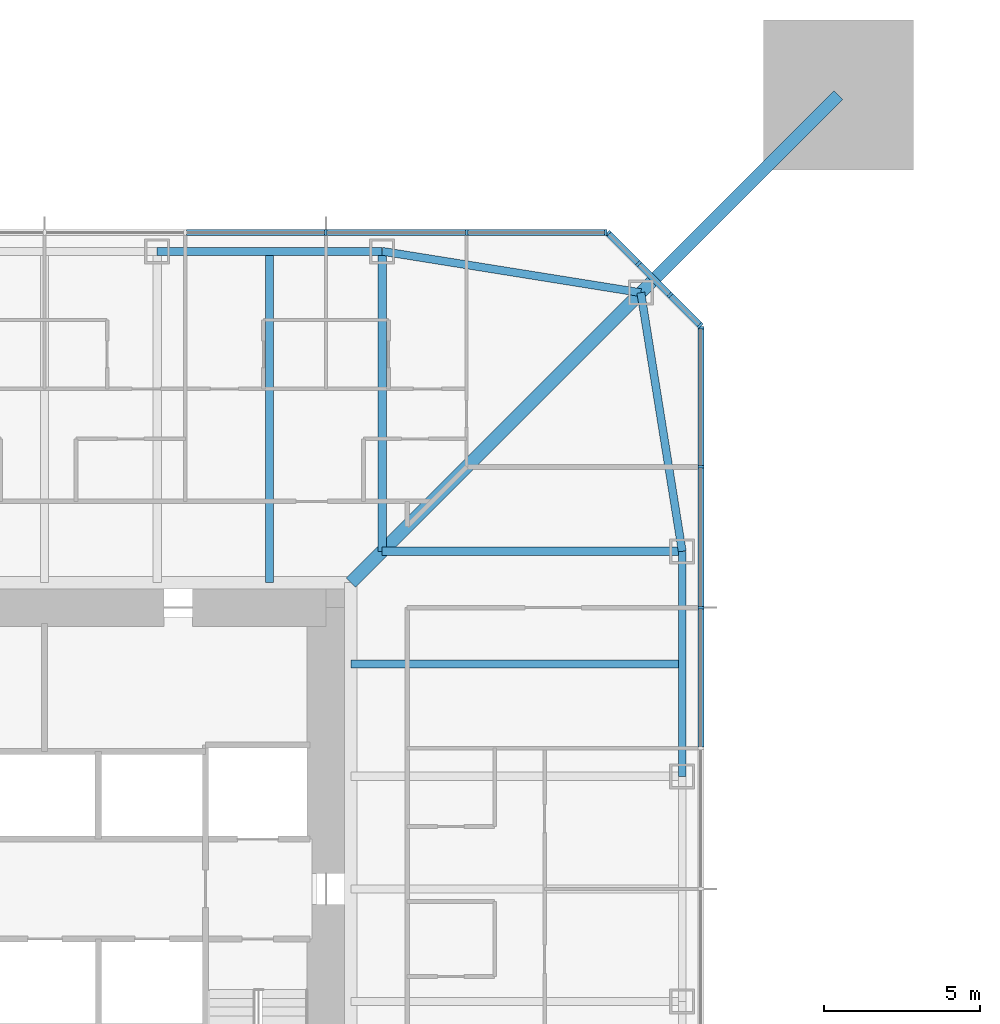
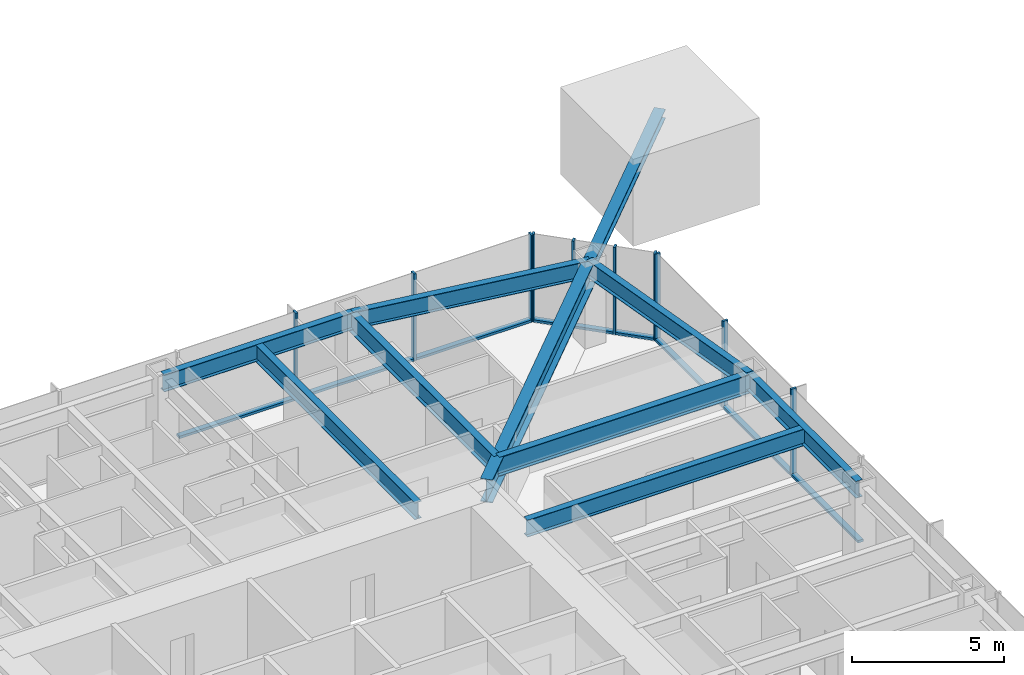
# One storey, part 5 of 23: 20 members, 9 beams, 3 elements without a shape of their own.
"""IFC4 building model written with IfcOpenShell, lengths in metres."""

from ifc_helpers import new_model, si_unit, direction, frame, origin, origin_2d, place, context, subcontext, project, spatial, rectangle, i_section, extrude, material, material_profile, profile_set, type_object, element, aggregate, save


model = new_model("IFC4")

# Units and contexts
model_context = context("Model", 3, precision=1e-05, world=origin(), true_north=direction((0.0, 1.0)))
body_context = subcontext(model_context, "Body", "Model", "MODEL_VIEW")
ifc_project = project(units=[si_unit("LENGTHUNIT", "METRE"), si_unit("AREAUNIT", "SQUARE_METRE"), si_unit("VOLUMEUNIT", "CUBIC_METRE"), si_unit("PLANEANGLEUNIT", "RADIAN"), si_unit("MASSUNIT", "GRAM", prefix="KILO")], contexts=[model_context])

# Site, building, storey
site_placement = place(None, origin())
site = spatial("IfcSite", under=ifc_project, at=site_placement, CompositionType="ELEMENT")
building_placement = place(site_placement, origin())
building = spatial("IfcBuilding", under=site, at=building_placement, Name="Iwan Alto Co-Living Towers", CompositionType="ELEMENT")
storey_placement = place(building_placement, frame((0.0, 0.0, 122.5)))
storey = spatial("IfcBuildingStorey", under=building, at=storey_placement, Name="L33", CompositionType="ELEMENT", Elevation=122.5)

# Curtain wall, members
ifc_material_1 = material(Name="Bronze aluminium unitised frame", Category="aluminium")
curtain_wall_type_1 = type_object("IfcCurtainWallType", Name="CURTAIN WALL CW-A", PredefinedType="NOTDEFINED", material=ifc_material_1)
curtain_wall_1_placement = place(storey_placement, origin())
curtain_wall_1 = element("IfcCurtainWall", 1, at=curtain_wall_1_placement, inside=storey, type_object=curtain_wall_type_1, Name="T1 curtain wall E L33", PredefinedType="NOTDEFINED")
ifc_material_2 = material(Name="Aluminium 6063-T6 bronze anodised", Category="aluminium")
ifc_material_profile_1 = material_profile(ifc_material_2, rectangle(XDim=0.199951171875, YDim=0.080078125, at=origin_2d()), Name="AL 80X200")
ifc_profile_set_1 = profile_set([ifc_material_profile_1], Name="Aluminium 6063-T6 bronze anodised")
member_type_1 = type_object("IfcMemberType", Name="CW-A MULLION 80X200", PredefinedType="MULLION", material=ifc_profile_set_1)
member_1_placement = place(storey_placement, frame((21.0, 9.0, 0.0), z_axis=(0.0, 0.0, 1.0), x_axis=(-1.0, 0.0, 0.0)))
member_1 = element("IfcMember", 2, at=member_1_placement, type_object=member_type_1, Name="CW-A mullion 7", PredefinedType="MULLION", context=body_context, shape_type="SweptSolid", body=[
    extrude(rectangle(XDim=0.199951171875, YDim=0.080078125, at=origin_2d()), origin(), (0.0, 0.0, 1.0), 3.5),
])
member_2_placement = place(storey_placement, frame((21.0, 13.5, 0.0), z_axis=(0.0, 0.0, 1.0), x_axis=(-1.0, 0.0, 0.0)))
member_2 = element("IfcMember", 3, at=member_2_placement, type_object=member_type_1, Name="CW-A mullion 8", PredefinedType="MULLION", context=body_context, shape_type="SweptSolid", body=[
    extrude(rectangle(XDim=0.199951171875, YDim=0.080078125, at=origin_2d()), origin(), (0.0, 0.0, 1.0), 3.5),
])
member_3_placement = place(storey_placement, frame((21.0, 17.9599609375, 0.0), z_axis=(0.0, 0.0, 1.0), x_axis=(-1.0, 0.0, 0.0)))
member_3 = element("IfcMember", 4, at=member_3_placement, type_object=member_type_1, Name="CW-A mullion 9", PredefinedType="MULLION", context=body_context, shape_type="SweptSolid", body=[
    extrude(rectangle(XDim=0.199951171875, YDim=0.080078125, at=origin_2d()), origin(), (0.0, 0.0, 1.0), 3.5),
])

curtain_wall_2_placement = place(storey_placement, origin())
curtain_wall_2 = element("IfcCurtainWall", 5, at=curtain_wall_2_placement, inside=storey, type_object=curtain_wall_type_1, Name="T1 curtain wall N L33", PredefinedType="NOTDEFINED")
member_4_placement = place(storey_placement, frame((17.9599609375, 21.0, 0.0), z_axis=(0.0, 0.0, 1.0), x_axis=(0.0, -1.0, 0.0)))
member_4 = element("IfcMember", 6, at=member_4_placement, type_object=member_type_1, Name="CW-A mullion 1", PredefinedType="MULLION", context=body_context, shape_type="SweptSolid", body=[
    extrude(rectangle(XDim=0.199951171875, YDim=0.080078125, at=origin_2d()), origin(), (0.0, 0.0, 1.0), 3.5),
])
member_5_placement = place(storey_placement, frame((13.5, 21.0, 0.0), z_axis=(0.0, 0.0, 1.0), x_axis=(0.0, -1.0, 0.0)))
member_5 = element("IfcMember", 7, at=member_5_placement, type_object=member_type_1, Name="CW-A mullion 2", PredefinedType="MULLION", context=body_context, shape_type="SweptSolid", body=[
    extrude(rectangle(XDim=0.199951171875, YDim=0.080078125, at=origin_2d()), origin(), (0.0, 0.0, 1.0), 3.5),
])
member_6_placement = place(storey_placement, frame((9.0, 21.0, 0.0), z_axis=(0.0, 0.0, 1.0), x_axis=(0.0, -1.0, 0.0)))
member_6 = element("IfcMember", 8, at=member_6_placement, type_object=member_type_1, Name="CW-A mullion 3", PredefinedType="MULLION", context=body_context, shape_type="SweptSolid", body=[
    extrude(rectangle(XDim=0.199951171875, YDim=0.080078125, at=origin_2d()), origin(), (0.0, 0.0, 1.0), 3.5),
])

# Member
ifc_material_3 = material(Name="Aluminium 6063-T6 bronze anodised", Category="aluminium")
ifc_material_profile_2 = material_profile(ifc_material_3, rectangle(XDim=0.199951171875, YDim=0.10009765625, at=origin_2d()), Name="AL 200X100")
ifc_profile_set_2 = profile_set([ifc_material_profile_2], Name="Aluminium 6063-T6 bronze anodised")
member_type_2 = type_object("IfcMemberType", Name="CW-A TRANSOM 200X100", PredefinedType="USERDEFINED", material=ifc_profile_set_2)
member_7_placement = place(storey_placement, frame((21.0, 4.5400390625, 0.050048828125), z_axis=(0.0, 1.0, 0.0), x_axis=(-1.0, 0.0, 0.0)))
member_7 = element("IfcMember", 9, at=member_7_placement, type_object=member_type_2, Name="CW-A transom 6.1", ObjectType="TRANSOM", PredefinedType="USERDEFINED", context=body_context, shape_type="SweptSolid", body=[
    extrude(rectangle(XDim=0.199951171875, YDim=0.10009765625, at=origin_2d()), origin(), (0.0, 0.0, 1.0), 4.419921875),
])

member_8_placement = place(storey_placement, frame((21.0, 9.0400390625, 0.050048828125), z_axis=(0.0, 1.0, 0.0), x_axis=(-1.0, 0.0, 0.0)))
member_8 = element("IfcMember", 10, at=member_8_placement, type_object=member_type_2, Name="CW-A transom 7.1", ObjectType="TRANSOM", PredefinedType="USERDEFINED", context=body_context, shape_type="SweptSolid", body=[
    extrude(rectangle(XDim=0.199951171875, YDim=0.10009765625, at=origin_2d()), origin(), (0.0, 0.0, 1.0), 4.419921875),
])

member_9_placement = place(storey_placement, frame((21.0, 13.5400390625, 0.050048828125), z_axis=(0.0, 1.0, 0.0), x_axis=(-1.0, 0.0, 0.0)))
member_9 = element("IfcMember", 11, at=member_9_placement, type_object=member_type_2, Name="CW-A transom 8.1", ObjectType="TRANSOM", PredefinedType="USERDEFINED", context=body_context, shape_type="SweptSolid", body=[
    extrude(rectangle(XDim=0.199951171875, YDim=0.10009765625, at=origin_2d()), origin(), (0.0, 0.0, 1.0), 4.3798828125),
])

aggregate(curtain_wall_1, [member_1, member_2, member_3, member_7, member_8, member_9])

member_10_placement = place(storey_placement, frame((17.919921875, 21.0, 0.050048828125), z_axis=(-1.0, 0.0, 0.0), x_axis=(0.0, -1.0, 0.0)))
member_10 = element("IfcMember", 12, at=member_10_placement, type_object=member_type_2, Name="CW-A transom 1.1", ObjectType="TRANSOM", PredefinedType="USERDEFINED", context=body_context, shape_type="SweptSolid", body=[
    extrude(rectangle(XDim=0.199951171875, YDim=0.10009765625, at=origin_2d()), origin(), (0.0, 0.0, 1.0), 4.3798828125),
])

member_11_placement = place(storey_placement, frame((13.4599609375, 21.0, 0.050048828125), z_axis=(-1.0, 0.0, 0.0), x_axis=(0.0, -1.0, 0.0)))
member_11 = element("IfcMember", 13, at=member_11_placement, type_object=member_type_2, Name="CW-A transom 2.1", ObjectType="TRANSOM", PredefinedType="USERDEFINED", context=body_context, shape_type="SweptSolid", body=[
    extrude(rectangle(XDim=0.199951171875, YDim=0.10009765625, at=origin_2d()), origin(), (0.0, 0.0, 1.0), 4.419921875),
])

member_12_placement = place(storey_placement, frame((8.9599609375, 21.0, 0.050048828125), z_axis=(-1.0, 0.0, 0.0), x_axis=(0.0, -1.0, 0.0)))
member_12 = element("IfcMember", 14, at=member_12_placement, type_object=member_type_2, Name="CW-A transom 3.1", ObjectType="TRANSOM", PredefinedType="USERDEFINED", context=body_context, shape_type="SweptSolid", body=[
    extrude(rectangle(XDim=0.199951171875, YDim=0.10009765625, at=origin_2d()), origin(), (0.0, 0.0, 1.0), 4.419921875),
])

aggregate(curtain_wall_2, [member_4, member_5, member_6, member_10, member_11, member_12])

# Curtain wall, members
ifc_material_4 = material(Name="Bronze aluminium unitised frame", Category="aluminium")
curtain_wall_type_2 = type_object("IfcCurtainWallType", Name="CURTAIN WALL CW-B", PredefinedType="NOTDEFINED", material=ifc_material_4)
curtain_wall_3_placement = place(storey_placement, origin())
curtain_wall_3 = element("IfcCurtainWall", 15, at=curtain_wall_3_placement, inside=storey, type_object=curtain_wall_type_2, Name="T1 chamfer curtain wall NE L33", PredefinedType="NOTDEFINED")
ifc_material_5 = material(Name="Aluminium 6063-T6 bronze anodised", Category="aluminium")
ifc_material_profile_3 = material_profile(ifc_material_5, rectangle(XDim=0.199951171875, YDim=0.080078125, at=origin_2d()), Name="AL 80X200")
ifc_profile_set_3 = profile_set([ifc_material_profile_3], Name="Aluminium 6063-T6 bronze anodised")
member_type_3 = type_object("IfcMemberType", Name="CW-B MULLION 80X200", PredefinedType="MULLION", material=ifc_profile_set_3)
member_13_placement = place(storey_placement, frame((20.9716796875, 18.0283203125, 0.0), z_axis=(0.0, 0.0, 1.0), x_axis=(-0.707106781187, -0.707106781187, 0.0)))
member_13 = element("IfcMember", 16, at=member_13_placement, type_object=member_type_3, Name="CW-B mullion 1", PredefinedType="MULLION", context=body_context, shape_type="SweptSolid", body=[
    extrude(rectangle(XDim=0.199951171875, YDim=0.080078125, at=origin_2d()), origin(), (0.0, 0.0, 1.0), 3.5),
])
member_14_placement = place(storey_placement, frame((20.0, 19.0, 0.0), z_axis=(0.0, 0.0, 1.0), x_axis=(-0.707106781187, -0.707106781187, 0.0)))
member_14 = element("IfcMember", 17, at=member_14_placement, type_object=member_type_3, Name="CW-B mullion 2", PredefinedType="MULLION", context=body_context, shape_type="SweptSolid", body=[
    extrude(rectangle(XDim=0.199951171875, YDim=0.080078125, at=origin_2d()), origin(), (0.0, 0.0, 1.0), 3.5),
])
member_15_placement = place(storey_placement, frame((19.0, 20.0, 0.0), z_axis=(0.0, 0.0, 1.0), x_axis=(-0.707106781187, -0.707106781187, 0.0)))
member_15 = element("IfcMember", 18, at=member_15_placement, type_object=member_type_3, Name="CW-B mullion 3", PredefinedType="MULLION", context=body_context, shape_type="SweptSolid", body=[
    extrude(rectangle(XDim=0.199951171875, YDim=0.080078125, at=origin_2d()), origin(), (0.0, 0.0, 1.0), 3.5),
])
member_16_placement = place(storey_placement, frame((18.0283203125, 20.9716796875, 0.0), z_axis=(0.0, 0.0, 1.0), x_axis=(-0.707106781187, -0.707106781187, 0.0)))
member_16 = element("IfcMember", 19, at=member_16_placement, type_object=member_type_3, Name="CW-B mullion 4", PredefinedType="MULLION", context=body_context, shape_type="SweptSolid", body=[
    extrude(rectangle(XDim=0.199951171875, YDim=0.080078125, at=origin_2d()), origin(), (0.0, 0.0, 1.0), 3.5),
])
ifc_material_6 = material(Name="Aluminium 6063-T6 bronze anodised", Category="aluminium")
ifc_material_profile_4 = material_profile(ifc_material_6, rectangle(XDim=0.199951171875, YDim=0.10009765625, at=origin_2d()), Name="AL 200X100")
ifc_profile_set_4 = profile_set([ifc_material_profile_4], Name="Aluminium 6063-T6 bronze anodised")
member_type_4 = type_object("IfcMemberType", Name="CW-B TRANSOM 200X100", PredefinedType="USERDEFINED", material=ifc_profile_set_4)
member_17_placement = place(storey_placement, frame((20.943359375, 18.056640625, 0.050048828125), z_axis=(-0.707106781187, 0.707106781187, 0.0), x_axis=(-0.707106781187, -0.707106781187, 0.0)))
member_17 = element("IfcMember", 20, at=member_17_placement, type_object=member_type_4, Name="CW-B transom 1.1", ObjectType="TRANSOM", PredefinedType="USERDEFINED", context=body_context, shape_type="SweptSolid", body=[
    extrude(rectangle(XDim=0.199951171875, YDim=0.10009765625, at=origin_2d()), origin(), (0.0, 0.0, 1.0), 1.2939453125),
])
member_18_placement = place(storey_placement, frame((19.9716796875, 19.0283203125, 0.050048828125), z_axis=(-0.707106781187, 0.707106781187, 0.0), x_axis=(-0.707106781187, -0.707106781187, 0.0)))
member_18 = element("IfcMember", 21, at=member_18_placement, type_object=member_type_4, Name="CW-B transom 2.1", ObjectType="TRANSOM", PredefinedType="USERDEFINED", context=body_context, shape_type="SweptSolid", body=[
    extrude(rectangle(XDim=0.199951171875, YDim=0.10009765625, at=origin_2d()), origin(), (0.0, 0.0, 1.0), 1.334228515625),
])
member_19_placement = place(storey_placement, frame((18.9716796875, 20.0283203125, 0.050048828125), z_axis=(-0.707106781187, 0.707106781187, 0.0), x_axis=(-0.707106781187, -0.707106781187, 0.0)))
member_19 = element("IfcMember", 22, at=member_19_placement, type_object=member_type_4, Name="CW-B transom 3.1", ObjectType="TRANSOM", PredefinedType="USERDEFINED", context=body_context, shape_type="SweptSolid", body=[
    extrude(rectangle(XDim=0.199951171875, YDim=0.10009765625, at=origin_2d()), origin(), (0.0, 0.0, 1.0), 1.2939453125),
])
aggregate(curtain_wall_3, [member_13, member_14, member_15, member_16, member_17, member_18, member_19])

# Beams
ifc_material_7 = material(Name="Steel ASTM A992 Gr 50", Category="steel")
ifc_material_profile_5 = material_profile(ifc_material_7, i_section(OverallWidth=0.419189453125, OverallDepth=0.927001953125, WebThickness=0.019287109375, FlangeThickness=0.031982421875, at=origin_2d()), Name="W36X231")
ifc_profile_set_5 = profile_set([ifc_material_profile_5], Name="Steel ASTM A992 Gr 50")
beam_type_1 = type_object("IfcBeamType", Name="T1 CORNER GIRDER W36X231", PredefinedType="BEAM", material=ifc_profile_set_5)
beam_1_placement = place(storey_placement, frame((19.07568359375, 19.07568359375, 2.806396484375), z_axis=(-0.707106781187, -0.707106781187, 0.0), x_axis=(0.707106781187, -0.707106781187, 0.0)))
element("IfcBeam", 23, at=beam_1_placement, inside=storey, type_object=beam_type_1, Name="T1 corner girder CNE L34", PredefinedType="BEAM", context=body_context, shape_type="SweptSolid", body=[
    extrude(i_section(OverallWidth=0.419189453125, OverallDepth=0.927001953125, WebThickness=0.019287109375, FlangeThickness=0.031982421875, at=origin_2d()), origin(), (0.0, 0.0, 1.0), 13.11865234375),
])
ifc_material_8 = material(Name="Steel ASTM A992 Gr 50", Category="steel")
ifc_material_profile_6 = material_profile(ifc_material_8, i_section(OverallWidth=0.25390625, OverallDepth=0.683349609375, WebThickness=0.012451171875, FlangeThickness=0.018798828125, at=origin_2d()), Name="W27X94")
ifc_profile_set_6 = profile_set([ifc_material_profile_6], Name="Steel ASTM A992 Gr 50")
beam_type_2 = type_object("IfcBeamType", Name="T1 EDGE BEAM W27X94", PredefinedType="BEAM", material=ifc_profile_set_6)
beam_2_placement = place(storey_placement, frame((20.39990234375, 3.60009765625, 2.928466796875), z_axis=(0.0, 1.0, 0.0), x_axis=(-1.0, 0.0, 0.0)))
element("IfcBeam", 24, at=beam_2_placement, inside=storey, type_object=beam_type_2, Name="T1 edge beam E3 L34", PredefinedType="BEAM", context=body_context, shape_type="SweptSolid", body=[
    extrude(i_section(OverallWidth=0.25390625, OverallDepth=0.683349609375, WebThickness=0.012451171875, FlangeThickness=0.018798828125, at=origin_2d()), origin(), (0.0, 0.0, 1.0), 7.199951171875),
])
for number, where, z_axis, x_axis, name in (
    (25, (20.39990234375, 10.800048828125, 2.928466796875), (-0.158004134737, 0.987438450439, 0.0), (-0.987438450439, -0.158004134737, 0.0), "T1 edge beam E4 L34"),
    (26, (19.07568359375, 19.07568359375, 2.928466796875), (-0.987438450439, 0.158004134737, 0.0), (-0.158004134737, -0.987438450439, 0.0), "T1 edge beam CNE L34"),
):
    element("IfcBeam", number, at=place(storey_placement, frame(where, z_axis=z_axis, x_axis=x_axis)), inside=storey, type_object=beam_type_2, Name=name, PredefinedType="BEAM", context=body_context, shape_type="SweptSolid", body=[
        extrude(i_section(OverallWidth=0.25390625, OverallDepth=0.683349609375, WebThickness=0.012451171875, FlangeThickness=0.018798828125, at=origin_2d()), origin(), (0.0, 0.0, 1.0), 8.380859375),
    ])
beam_3_placement = place(storey_placement, frame((10.800048828125, 20.39990234375, 2.928466796875), z_axis=(-1.0, 0.0, 0.0), x_axis=(0.0, -1.0, 0.0)))
element("IfcBeam", 27, at=beam_3_placement, inside=storey, type_object=beam_type_2, Name="T1 edge beam N1 L34", PredefinedType="BEAM", context=body_context, shape_type="SweptSolid", body=[
    extrude(i_section(OverallWidth=0.25390625, OverallDepth=0.683349609375, WebThickness=0.012451171875, FlangeThickness=0.018798828125, at=origin_2d()), origin(), (0.0, 0.0, 1.0), 7.199951171875),
])

# Member
ifc_material_9 = material(Name="Steel ASTM A992 Gr 50", Category="steel")
ifc_material_profile_7 = material_profile(ifc_material_9, i_section(OverallWidth=0.393798828125, OverallDepth=0.3759765625, WebThickness=0.017333984375, FlangeThickness=0.027587890625, at=origin_2d()), Name="W14X145")
ifc_profile_set_7 = profile_set([ifc_material_profile_7], Name="Steel ASTM A992 Gr 50")
member_type_5 = type_object("IfcMemberType", Name="T1 MEGA COLUMN FLOOR TIE W14X145", PredefinedType="STRUT", material=ifc_profile_set_7)
member_20_placement = place(storey_placement, frame((25.39990234375, 25.39990234375, 3.08203125), z_axis=(-0.707106781187, -0.707106781187, 0.0), x_axis=(0.707106781187, -0.707106781187, 0.0)))
element("IfcMember", 28, at=member_20_placement, inside=storey, type_object=member_type_5, Name="T1 mega column floor tie NE L34", PredefinedType="STRUT", context=body_context, shape_type="SweptSolid", body=[
    extrude(i_section(OverallWidth=0.393798828125, OverallDepth=0.3759765625, WebThickness=0.017333984375, FlangeThickness=0.027587890625, at=origin_2d()), origin(), (0.0, 0.0, 1.0), 8.94384765625),
])

# Beams
ifc_material_10 = material(Name="Steel ASTM A992 Gr 50", Category="steel")
ifc_material_profile_8 = material_profile(ifc_material_10, i_section(OverallWidth=0.2666015625, OverallDepth=0.761962890625, WebThickness=0.014404296875, FlangeThickness=0.021484375, at=origin_2d()), Name="W30X116")
ifc_profile_set_8 = profile_set([ifc_material_profile_8], Name="Steel ASTM A992 Gr 50")
beam_type_3 = type_object("IfcBeamType", Name="T1 RADIAL BEAM W30X116", PredefinedType="BEAM", material=ifc_profile_set_8)
for number, where, z_axis, x_axis, name in (
    (29, (20.39990234375, 10.800048828125, 2.888916015625), (-1.0, 0.0, 0.0), (0.0, -1.0, 0.0), "T1 radial beam E4 L34"),
    (30, (10.800048828125, 20.39990234375, 2.888916015625), (0.0, -1.0, 0.0), (1.0, 0.0, 0.0), "T1 radial beam N1 L34"),
):
    element("IfcBeam", number, at=place(storey_placement, frame(where, z_axis=z_axis, x_axis=x_axis)), inside=storey, type_object=beam_type_3, Name=name, PredefinedType="BEAM", context=body_context, shape_type="SweptSolid", body=[
        extrude(i_section(OverallWidth=0.2666015625, OverallDepth=0.761962890625, WebThickness=0.014404296875, FlangeThickness=0.021484375, at=origin_2d()), origin(), (0.0, 0.0, 1.0), 9.599853515625),
    ])
ifc_material_11 = material(Name="Steel ASTM A992 Gr 50", Category="steel")
ifc_material_profile_9 = material_profile(ifc_material_11, i_section(OverallWidth=0.25390625, OverallDepth=0.683349609375, WebThickness=0.012451171875, FlangeThickness=0.018798828125, at=origin_2d()), Name="W27X94")
ifc_profile_set_9 = profile_set([ifc_material_profile_9], Name="Steel ASTM A992 Gr 50")
beam_type_4 = type_object("IfcBeamType", Name="T1 SECONDARY BEAM W27X94", PredefinedType="JOIST", material=ifc_profile_set_9)
for number, where, z_axis, x_axis, name in (
    (31, (20.39990234375, 7.199951171875, 2.928466796875), (-1.0, 0.0, 0.0), (0.0, -1.0, 0.0), "T1 secondary beam E3 L34"),
    (32, (7.199951171875, 20.39990234375, 2.928466796875), (0.0, -1.0, 0.0), (1.0, 0.0, 0.0), "T1 secondary beam N1 L34"),
):
    element("IfcBeam", number, at=place(storey_placement, frame(where, z_axis=z_axis, x_axis=x_axis)), inside=storey, type_object=beam_type_4, Name=name, PredefinedType="JOIST", context=body_context, shape_type="SweptSolid", body=[
        extrude(i_section(OverallWidth=0.25390625, OverallDepth=0.683349609375, WebThickness=0.012451171875, FlangeThickness=0.018798828125, at=origin_2d()), origin(), (0.0, 0.0, 1.0), 10.6005859375),
    ])

save(model, "model.ifc")
